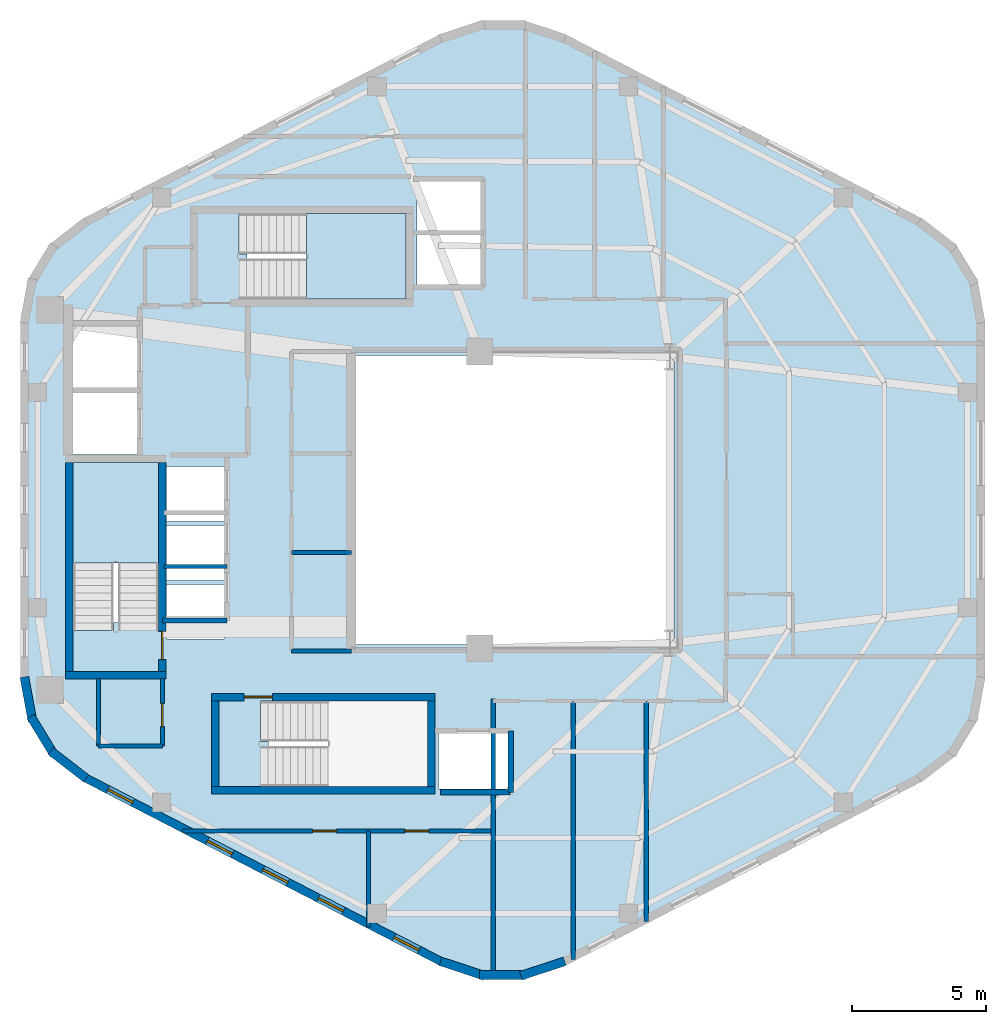
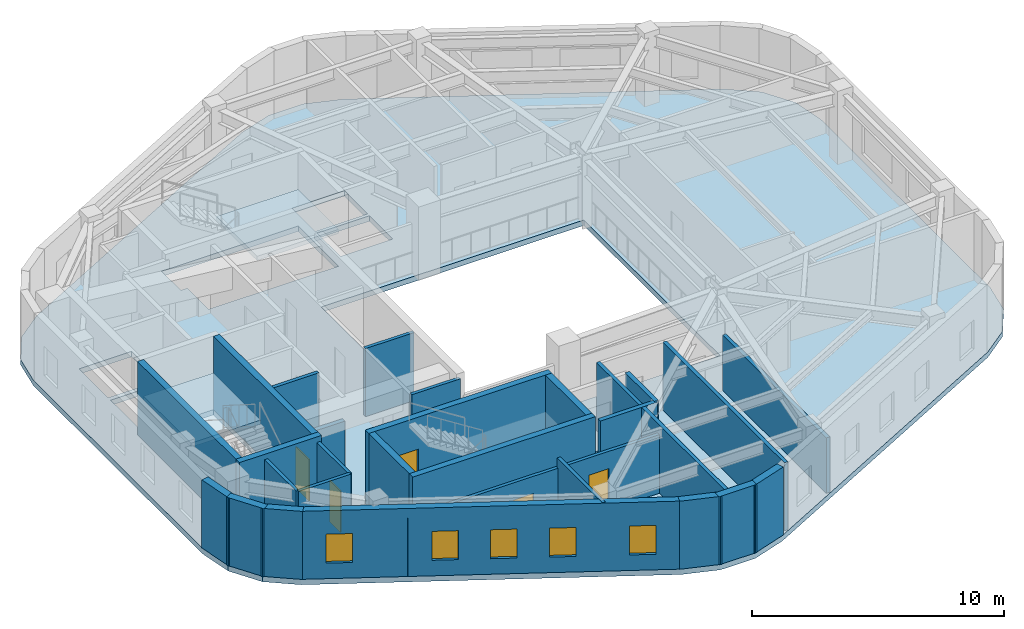
# One storey, part 2 of 6: 28 walls, 5 doors, 5 windows, 3 slabs, 10 openings, 2 elements without a shape of their own.
"""IFC4 building model written with IfcOpenShell, lengths in metres."""

from ifc_helpers import new_model, si_unit, direction, frame, frame_2d, origin, place, context, subcontext, project, spatial, polyline, rectangle, outline, extrude, material, layer, layer_set, type_object, element, fill, aggregate, save


model = new_model("IFC4")

# Units and contexts
model_context = context("Model", 3, precision=1e-05, world=origin(), true_north=direction((0.0, 1.0)))
body_context = subcontext(model_context, "Body", "Model", "MODEL_VIEW")
ifc_project = project(units=[si_unit("LENGTHUNIT", "METRE"), si_unit("AREAUNIT", "SQUARE_METRE"), si_unit("VOLUMEUNIT", "CUBIC_METRE"), si_unit("PLANEANGLEUNIT", "RADIAN"), si_unit("MASSUNIT", "GRAM", prefix="KILO"), si_unit("THERMODYNAMICTEMPERATUREUNIT", "KELVIN"), si_unit("POWERUNIT", "WATT")], contexts=[model_context])

# Site, building, storey
site_placement = place(None, origin())
site = spatial("IfcSite", under=ifc_project, at=site_placement, CompositionType="ELEMENT")
building_placement = place(site_placement, origin())
building = spatial("IfcBuilding", under=site, at=building_placement, Name="Skarre Station Tower", CompositionType="ELEMENT")
storey_placement = place(building_placement, frame((0.0, 0.0, 259.64990234375)))
storey = spatial("IfcBuildingStorey", under=building, at=storey_placement, Name="L71", CompositionType="ELEMENT", Elevation=259.64990234375)

# Stair, slab
ifc_material_1 = material(Name="Concrete C40/50", Category="concrete")
stair_type_1 = type_object("IfcStairType", Name="Reinforced Concrete Exit Stair ST-1", PredefinedType="HALF_TURN_STAIR", material=ifc_material_1)
stair_1_placement = place(storey_placement, origin())
stair_1 = element("IfcStair", 1, at=stair_1_placement, inside=storey, type_object=stair_type_1, Name="L71 Core Exit Stair ST-1", PredefinedType="HALF_TURN_STAIR")
ifc_layer_1 = layer(ifc_material_1, 0.219970703125, Name="Concrete C40/50")
ifc_layer_set_1 = layer_set([ifc_layer_1], Name="Concrete C40/50")
slab_type_1 = type_object("IfcSlabType", Name="Reinforced Concrete Stair & Ramp Landing 220", PredefinedType="LANDING", material=ifc_layer_set_1)
slab_1_placement = place(storey_placement, frame((0.0, 0.0, 1.5751953125)))
slab_1 = element("IfcSlab", 2, at=slab_1_placement, type_object=slab_type_1, Name="ST-1 landing 1", PredefinedType="LANDING", context=body_context, shape_type="SweptSolid", body=[
    extrude(outline(polyline([(20.35009765625, 21.639892578125), (20.35009765625, 25.39990234375), (17.14990234375, 25.39990234375), (17.14990234375, 21.639892578125), (20.35009765625, 21.639892578125)])), origin(), (0.0, 0.0, 1.0), 0.199951171875),
])
aggregate(stair_1, [slab_1])

stair_type_2 = type_object("IfcStairType", Name="Reinforced Concrete Exit Stair ST-3", PredefinedType="HALF_TURN_STAIR", material=ifc_material_1)
stair_2_placement = place(storey_placement, origin())
stair_2 = element("IfcStair", 3, at=stair_2_placement, inside=storey, type_object=stair_type_2, Name="L71 Core Exit Stair ST-3", PredefinedType="HALF_TURN_STAIR")
slab_2_placement = place(storey_placement, frame((0.0, 0.0, 1.5751953125)))
slab_2 = element("IfcSlab", 4, at=slab_2_placement, type_object=slab_type_1, Name="ST-3 landing 1", PredefinedType="LANDING", context=body_context, shape_type="SweptSolid", body=[
    extrude(outline(polyline([(25.8701171875, 31.5), (29.60009765625, 31.5), (29.60009765625, 34.699951171875), (25.8701171875, 34.699951171875), (25.8701171875, 31.5)])), origin(), (0.0, 0.0, 1.0), 0.199951171875),
])
aggregate(stair_2, [slab_2])

# Slab
ifc_material_2 = material(Name="Concrete C50/60", Category="concrete")
ifc_layer_2 = layer(ifc_material_2, 0.260009765625, Name="Concrete C50/60")
ifc_layer_set_2 = layer_set([ifc_layer_2], Name="Concrete C50/60")
slab_type_2 = type_object("IfcSlabType", Name="Tower Typical Composite Floor Slab 260", PredefinedType="FLOOR", material=ifc_layer_set_2)
slab_3_placement = place(storey_placement, frame((0.0, 0.0, -0.260009765625)))
element("IfcSlab", 5, at=slab_3_placement, inside=storey, type_object=slab_type_2, Name="L71 Zone 4 Structural Floor Slab", PredefinedType="FLOOR", context=body_context, shape_type="SweptSolid", body=[
    extrude(outline(polyline([(51.212890625, 30.701904296875), (50.93310546875, 32.222900390625), (50.1279296875, 33.544921875), (48.905029296875, 34.491943359375), (35.508056640625, 41.407958984375), (33.99609375, 41.906005859375), (32.404052734375, 41.906005859375), (30.89208984375, 41.407958984375), (17.4951171875, 34.491943359375), (16.27197265625, 33.544921875), (15.467041015625, 32.222900390625), (15.18701171875, 30.701904296875), (15.18701171875, 17.298095703125), (15.467041015625, 15.777099609375), (16.27197265625, 14.455078125), (17.4951171875, 13.508056640625), (30.89208984375, 6.592041015625), (32.404052734375, 6.093994140625), (33.99609375, 6.093994140625), (35.508056640625, 6.592041015625), (48.905029296875, 13.508056640625), (50.1279296875, 14.455078125), (50.93310546875, 15.777099609375), (51.212890625, 17.298095703125), (51.212890625, 30.701904296875)]), holes=[polyline([(18.669921875, 19.419921875), (18.669921875, 19.123046875), (17.14990234375, 19.123046875), (17.14990234375, 25.39990234375), (20.35009765625, 25.39990234375), (20.35009765625, 19.419921875), (18.669921875, 19.419921875)]), polyline([(24.449951171875, 14.97998046875), (24.153076171875, 14.97998046875), (24.153076171875, 16.5), (30.39990234375, 16.5), (30.39990234375, 13.300048828125), (24.449951171875, 13.300048828125), (24.449951171875, 14.97998046875)]), polyline([(23.64990234375, 33.179931640625), (23.35302734375, 33.179931640625), (23.35302734375, 34.699951171875), (29.60009765625, 34.699951171875), (29.60009765625, 31.5), (23.64990234375, 31.5), (23.64990234375, 33.179931640625)]), polyline([(17.14990234375, 28.0), (19.550048828125, 28.0), (19.550048828125, 25.699951171875), (17.14990234375, 25.699951171875), (17.14990234375, 28.0)]), polyline([(17.14990234375, 30.5), (19.550048828125, 30.5), (19.550048828125, 28.199951171875), (17.14990234375, 28.199951171875), (17.14990234375, 30.5)]), polyline([(30.800048828125, 15.300048828125), (33.39990234375, 15.300048828125), (33.39990234375, 13.199951171875), (30.800048828125, 13.199951171875), (30.800048828125, 15.300048828125)]), polyline([(20.64990234375, 20.85009765625), (22.800048828125, 20.85009765625), (22.800048828125, 18.800048828125), (20.64990234375, 18.800048828125), (20.64990234375, 20.85009765625)]), polyline([(20.64990234375, 23.050048828125), (22.800048828125, 23.050048828125), (22.800048828125, 21.0), (20.64990234375, 21.0), (20.64990234375, 23.050048828125)]), polyline([(20.64990234375, 25.25), (22.800048828125, 25.25), (22.800048828125, 23.199951171875), (20.64990234375, 23.199951171875), (20.64990234375, 25.25)]), polyline([(30.0, 33.89990234375), (32.39990234375, 33.89990234375), (32.39990234375, 32.050048828125), (30.0, 32.050048828125), (30.0, 33.89990234375)]), polyline([(30.0, 35.89990234375), (32.39990234375, 35.89990234375), (32.39990234375, 34.050048828125), (30.0, 34.050048828125), (30.0, 35.89990234375)]), polyline([(27.60009765625, 29.39990234375), (39.60009765625, 29.39990234375), (39.60009765625, 18.60009765625), (27.60009765625, 18.60009765625), (27.60009765625, 29.39990234375)])]), origin(), (0.0, 0.0, 1.0), 0.260009765625),
])

# Walls
ifc_material_3 = material(Name="Acoustic Steel-Stud Gypsum Partition", Category="steel")
ifc_layer_3 = layer(ifc_material_3, 0.14990234375, Name="Acoustic Steel-Stud Gypsum Partition")
ifc_layer_set_3 = layer_set([ifc_layer_3], Name="Acoustic Steel-Stud Gypsum Partition")
wall_type_1 = type_object("IfcWallType", Name="Fire-Rated Corridor Acoustic Partition 150", PredefinedType="PARTITIONING", material=ifc_layer_set_3)
for number, where, z_axis, x_axis, name in (
    (6, (25.320068359375, 22.0400390625, 0.0), (0.0, 0.0, 1.0), (1.0, 0.0, 0.0), "L71 Interior Partition WL-PT-L71-RC2-M1"),
    (7, (25.320068359375, 18.360107421875, 0.0), (0.0, 0.0, 1.0), (1.0, 0.0, 0.0), "L71 Interior Partition WL-PT-L71-RC2-S"),
):
    element("IfcWall", number, at=place(storey_placement, frame(where, z_axis=z_axis, x_axis=x_axis)), inside=storey, type_object=wall_type_1, Name=name, PredefinedType="PARTITIONING", context=body_context, shape_type="SweptSolid", body=[
        extrude(rectangle(XDim=2.22998046875, YDim=0.14990234375, at=frame_2d((1.114990234375, 0.0))), origin(), (0.0, 0.0, 1.0), 3.2900390625),
    ])
wall_1_placement = place(storey_placement, frame((18.10009765625, 17.340087890625, 0.0), z_axis=(0.0, 0.0, 1.0), x_axis=(0.0, -1.0, 0.0)))
element("IfcWall", 8, at=wall_1_placement, inside=storey, type_object=wall_type_1, Name="L71 Interior Partition WL-PT-L71-CSVC-W", PredefinedType="PARTITIONING", context=body_context, shape_type="SweptSolid", body=[
    extrude(rectangle(XDim=2.52001953125, YDim=0.14990234375, at=frame_2d((1.260009765625, 0.0))), origin(), (0.0, 0.0, 1.0), 3.2900390625),
])
wall_2_placement = place(storey_placement, frame((18.10009765625, 14.820068359375, 0.0), z_axis=(0.0, 0.0, 1.0), x_axis=(1.0, 0.0, 0.0)))
element("IfcWall", 9, at=wall_2_placement, inside=storey, type_object=wall_type_1, Name="L71 Interior Partition WL-PT-L71-CSVC-S", PredefinedType="PARTITIONING", context=body_context, shape_type="SweptSolid", body=[
    extrude(rectangle(XDim=2.389892578125, YDim=0.14990234375, at=frame_2d((1.19482421875, 0.0))), origin(), (0.0, 0.0, 1.0), 3.2900390625),
])

# Wall, opening, door
wall_3_placement = place(storey_placement, frame((20.489990234375, 14.820068359375, 0.0), z_axis=(0.0, 0.0, 1.0), x_axis=(0.0, 1.0, 0.0)))
wall_3 = element("IfcWall", 10, at=wall_3_placement, inside=storey, type_object=wall_type_1, Name="L71 Interior Partition WL-PT-L71-CSVC-E", PredefinedType="PARTITIONING", context=body_context, shape_type="SweptSolid", body=[
    extrude(rectangle(XDim=2.52001953125, YDim=0.14990234375, at=frame_2d((1.260009765625, 0.0))), origin(), (0.0, 0.0, 1.0), 3.2900390625),
])
opening_1_placement = place(wall_3_placement, frame((0.719970703125, 0.0, 0.0)))
opening_1 = element("IfcOpeningElement", 11, at=opening_1_placement, cuts=wall_3, Name="Opening DR-SVC86", PredefinedType="OPENING", context=body_context, shape_type="SweptSolid", body=[
    extrude(rectangle(XDim=0.860107421875, YDim=2.0, at=frame_2d((0.43017578125, 1.0))), frame((0.0, 0.0849609375, 0.0), z_axis=(0.0, -1.0, 0.0), x_axis=(1.0, 0.0, 0.0)), (0.0, 0.0, 1.0), 0.169921875),
])
ifc_material_4 = material(Name="Powder-Coated Hollow-Metal Acoustic Fire Leaf", Category="steel")
door_type_1 = type_object("IfcDoorType", Name="Compact Riser Fire Door FD60 860x2100", OperationType="SINGLE_SWING_LEFT", PredefinedType="DOOR", material=ifc_material_4)
door_1_placement = place(opening_1_placement, origin())
door_1 = element("IfcDoor", 12, at=door_1_placement, inside=storey, type_object=door_type_1, Name="L71 Core Staff Toilet Door", OperationType="SINGLE_SWING_LEFT", OverallHeight=2.0, OverallWidth=0.860107421875, PredefinedType="DOOR", context=body_context, shape_type="SweptSolid", body=[
    extrude(rectangle(XDim=0.860107421875, YDim=2.0, at=frame_2d((0.43017578125, 1.0))), frame((0.0, 0.02490234375, 0.0), z_axis=(0.0, -1.0, 0.0), x_axis=(1.0, 0.0, 0.0)), (0.0, 0.0, 1.0), 0.050048828125),
])
fill(opening_1, door_1)

# Wall
wall_4_placement = place(storey_placement, frame((28.199951171875, 8.049072265625, 0.0), z_axis=(0.0, 0.0, 1.0), x_axis=(0.0, 1.0, 0.0)))
element("IfcWall", 13, at=wall_4_placement, inside=storey, type_object=wall_type_1, Name="L71 Interior Partition WL-PT-L71-SWP-M", PredefinedType="PARTITIONING", context=body_context, shape_type="SweptSolid", body=[
    extrude(rectangle(XDim=3.5908203125, YDim=0.14990234375, at=frame_2d((1.79541015625, 0.0))), origin(), (0.0, 0.0, 1.0), 3.2900390625),
])

# Wall, openings, doors
wall_5_placement = place(storey_placement, frame((21.243896484375, 11.639892578125, 0.0), z_axis=(0.0, 0.0, 1.0), x_axis=(1.0, 0.0, 0.0)))
wall_5 = element("IfcWall", 14, at=wall_5_placement, inside=storey, type_object=wall_type_1, Name="L71 Interior Partition WL-PT-L71-SWP-N", PredefinedType="PARTITIONING", context=body_context, shape_type="SweptSolid", body=[
    extrude(rectangle(XDim=11.606201171875, YDim=0.14990234375, at=frame_2d((5.80322265625, 0.0))), origin(), (0.0, 0.0, 1.0), 2.8330078125),
])
opening_2_placement = place(wall_5_placement, frame((4.85595703125, 0.0, 0.0)))
opening_2 = element("IfcOpeningElement", 15, at=opening_2_placement, cuts=wall_5, Name="Opening DR-SVC90", PredefinedType="OPENING", context=body_context, shape_type="SweptSolid", body=[
    extrude(rectangle(XDim=0.89990234375, YDim=2.0, at=frame_2d((0.449951171875, 1.0))), frame((0.0, 0.0849609375, 0.0), z_axis=(0.0, -1.0, 0.0), x_axis=(1.0, 0.0, 0.0)), (0.0, 0.0, 1.0), 0.169921875),
])
opening_3_placement = place(wall_5_placement, frame((8.305908203125, 0.0, 0.0)))
opening_3 = element("IfcOpeningElement", 16, at=opening_3_placement, cuts=wall_5, Name="Opening DR-SVC90", PredefinedType="OPENING", context=body_context, shape_type="SweptSolid", body=[
    extrude(rectangle(XDim=0.89990234375, YDim=2.0, at=frame_2d((0.449951171875, 1.0))), frame((0.0, 0.0849609375, 0.0), z_axis=(0.0, -1.0, 0.0), x_axis=(1.0, 0.0, 0.0)), (0.0, 0.0, 1.0), 0.169921875),
])
door_type_2 = type_object("IfcDoorType", Name="Service & Riser Fire Door FD60 900x2100", OperationType="SINGLE_SWING_LEFT", PredefinedType="DOOR", material=ifc_material_4)
door_2_placement = place(opening_2_placement, origin())
door_2 = element("IfcDoor", 17, at=door_2_placement, inside=storey, type_object=door_type_2, Name="L71 Floor Public Toilets Door", OperationType="SINGLE_SWING_LEFT", OverallHeight=2.0, OverallWidth=0.89990234375, PredefinedType="DOOR", context=body_context, shape_type="SweptSolid", body=[
    extrude(rectangle(XDim=0.89990234375, YDim=2.0, at=frame_2d((0.449951171875, 1.0))), frame((0.0, 0.02490234375, 0.0), z_axis=(0.0, -1.0, 0.0), x_axis=(1.0, 0.0, 0.0)), (0.0, 0.0, 1.0), 0.050048828125),
])
fill(opening_2, door_2)
door_3_placement = place(opening_3_placement, origin())
door_3 = element("IfcDoor", 18, at=door_3_placement, inside=storey, type_object=door_type_2, Name="L71 South-West Study Door", OperationType="SINGLE_SWING_LEFT", OverallHeight=2.0, OverallWidth=0.89990234375, PredefinedType="DOOR", context=body_context, shape_type="SweptSolid", body=[
    extrude(rectangle(XDim=0.89990234375, YDim=2.0, at=frame_2d((0.449951171875, 1.0))), frame((0.0, 0.02490234375, 0.0), z_axis=(0.0, -1.0, 0.0), x_axis=(1.0, 0.0, 0.0)), (0.0, 0.0, 1.0), 0.050048828125),
])
fill(opening_3, door_3)

# Walls
ifc_material_5 = material(Name="Precast concrete C45/55", Category="concrete")
ifc_layer_4 = layer(ifc_material_5, 0.330078125, Name="Precast concrete C45/55")
ifc_layer_set_4 = layer_set([ifc_layer_4], Name="Precast concrete C45/55")
wall_type_2 = type_object("IfcWallType", Name="Nordic Rounded Corner Precast Wall 330", PredefinedType="STANDARD", material=ifc_layer_set_4)
wall_6_placement = place(storey_placement, frame((17.64697265625, 13.59912109375, 0.0), z_axis=(0.0, 0.0, 1.0), x_axis=(-0.790691856293, 0.61221433207, 0.0)))
element("IfcWall", 19, at=wall_6_placement, inside=storey, type_object=wall_type_2, Name="L71 Rounded Corner Precast Wall F3-1", PredefinedType="STANDARD", context=body_context, shape_type="SweptSolid", body=[
    extrude(rectangle(XDim=1.67578125, YDim=0.330078125, at=frame_2d((0.837890625, 0.0))), origin(), (0.0, 0.0, 1.0), 3.2900390625),
])
wall_7_placement = place(storey_placement, frame((16.447021484375, 14.485107421875, 0.0), z_axis=(0.0, 0.0, 1.0), x_axis=(-0.520325409202, 0.853968072318, 0.0)))
element("IfcWall", 20, at=wall_7_placement, inside=storey, type_object=wall_type_2, Name="L71 Rounded Corner Precast Wall F3-2", PredefinedType="STANDARD", context=body_context, shape_type="SweptSolid", body=[
    extrude(rectangle(XDim=1.677978515625, YDim=0.330078125, at=frame_2d((0.8388671875, 0.0))), origin(), (0.0, 0.0, 1.0), 3.2900390625),
])
wall_8_placement = place(storey_placement, frame((15.64111328125, 15.742919921875, 0.0), z_axis=(0.0, 0.0, 1.0), x_axis=(-0.180832605401, 0.983513888475, 0.0)))
element("IfcWall", 21, at=wall_8_placement, inside=storey, type_object=wall_type_2, Name="L71 Rounded Corner Precast Wall F3-3", PredefinedType="STANDARD", context=body_context, shape_type="SweptSolid", body=[
    extrude(rectangle(XDim=1.6767578125, YDim=0.330078125, at=frame_2d((0.83837890625, 0.0))), origin(), (0.0, 0.0, 1.0), 3.2900390625),
])
wall_9_placement = place(storey_placement, frame((35.51806640625, 6.76904296875, 0.0), z_axis=(0.0, 0.0, 1.0), x_axis=(-0.949713440491, -0.313120393699, 0.0)))
element("IfcWall", 22, at=wall_9_placement, inside=storey, type_object=wall_type_2, Name="L71 Rounded Corner Precast Wall F4-1", PredefinedType="STANDARD", context=body_context, shape_type="SweptSolid", body=[
    extrude(rectangle(XDim=1.7216796875, YDim=0.330078125, at=frame_2d((0.86083984375, 0.0))), origin(), (0.0, 0.0, 1.0), 3.2900390625),
])
wall_10_placement = place(storey_placement, frame((34.06103515625, 6.259033203125, 0.0), z_axis=(0.0, 0.0, 1.0), x_axis=(-1.0, 0.0, 0.0)))
element("IfcWall", 23, at=wall_10_placement, inside=storey, type_object=wall_type_2, Name="L71 Rounded Corner Precast Wall F4-2", PredefinedType="STANDARD", context=body_context, shape_type="SweptSolid", body=[
    extrude(rectangle(XDim=1.721923828125, YDim=0.330078125, at=frame_2d((0.86083984375, 0.0))), origin(), (0.0, 0.0, 1.0), 3.2900390625),
])
wall_11_placement = place(storey_placement, frame((32.51708984375, 6.22998046875, 0.0), z_axis=(0.0, 0.0, 1.0), x_axis=(-0.949713440491, 0.313120393699, 0.0)))
element("IfcWall", 24, at=wall_11_placement, inside=storey, type_object=wall_type_2, Name="L71 Rounded Corner Precast Wall F4-3", PredefinedType="STANDARD", context=body_context, shape_type="SweptSolid", body=[
    extrude(rectangle(XDim=1.7216796875, YDim=0.330078125, at=frame_2d((0.86083984375, 0.0))), origin(), (0.0, 0.0, 1.0), 3.2900390625),
])

# Wall, openings, windows
ifc_layer_5 = layer(ifc_material_5, 0.31005859375, Name="Precast concrete C45/55")
ifc_layer_set_5 = layer_set([ifc_layer_5], Name="Precast concrete C45/55")
wall_type_3 = type_object("IfcWallType", Name="Nordic Upper-Zone Precast Facet Wall 310", PredefinedType="STANDARD", material=ifc_layer_set_5)
wall_12_placement = place(storey_placement, frame((30.962890625, 6.72998046875, 0.0), z_axis=(0.0, 0.0, 1.0), x_axis=(-0.888581481622, 0.458718814218, 0.0)))
wall_12 = element("IfcWall", 25, at=wall_12_placement, inside=storey, type_object=wall_type_3, Name="L71 Facet 3 Nordic Precast Masonry Wall", PredefinedType="STANDARD", context=body_context, shape_type="SweptSolid", body=[
    extrude(rectangle(XDim=15.076904296875, YDim=0.31005859375, at=frame_2d((7.53857421875, 0.0))), origin(), (0.0, 0.0, 1.0), 3.2900390625),
])
opening_4_placement = place(wall_12_placement, frame((0.998046875, 0.0, 0.75)))
opening_4 = element("IfcOpeningElement", 26, at=opening_4_placement, cuts=wall_12, Name="Opening WN-SLT", PredefinedType="OPENING", context=body_context, shape_type="SweptSolid", body=[
    extrude(rectangle(XDim=1.050048828125, YDim=1.39990234375, at=frame_2d((0.52490234375, 0.699951171875))), frame((0.0, 0.1650390625, 0.0), z_axis=(0.0, -1.0, 0.0), x_axis=(1.0, 0.0, 0.0)), (0.0, 0.0, 1.0), 0.330078125),
])
opening_5_placement = place(wall_12_placement, frame((4.176025390625, 0.0, 0.75)))
opening_5 = element("IfcOpeningElement", 27, at=opening_5_placement, cuts=wall_12, Name="Opening WN-SLT", PredefinedType="OPENING", context=body_context, shape_type="SweptSolid", body=[
    extrude(rectangle(XDim=1.050048828125, YDim=1.39990234375, at=frame_2d((0.52490234375, 0.699951171875))), frame((0.0, 0.1650390625, 0.0), z_axis=(0.0, -1.0, 0.0), x_axis=(1.0, 0.0, 0.0)), (0.0, 0.0, 1.0), 0.330078125),
])
opening_6_placement = place(wall_12_placement, frame((6.509033203125, 0.0, 0.75)))
opening_6 = element("IfcOpeningElement", 28, at=opening_6_placement, cuts=wall_12, Name="Opening WN-SLT", PredefinedType="OPENING", context=body_context, shape_type="SweptSolid", body=[
    extrude(rectangle(XDim=1.050048828125, YDim=1.39990234375, at=frame_2d((0.52490234375, 0.699951171875))), frame((0.0, 0.1650390625, 0.0), z_axis=(0.0, -1.0, 0.0), x_axis=(1.0, 0.0, 0.0)), (0.0, 0.0, 1.0), 0.330078125),
])
opening_7_placement = place(wall_12_placement, frame((8.842041015625, 0.0, 0.75)))
opening_7 = element("IfcOpeningElement", 29, at=opening_7_placement, cuts=wall_12, Name="Opening WN-SLT", PredefinedType="OPENING", context=body_context, shape_type="SweptSolid", body=[
    extrude(rectangle(XDim=1.050048828125, YDim=1.39990234375, at=frame_2d((0.52490234375, 0.699951171875))), frame((0.0, 0.1650390625, 0.0), z_axis=(0.0, -1.0, 0.0), x_axis=(1.0, 0.0, 0.0)), (0.0, 0.0, 1.0), 0.330078125),
])
opening_8_placement = place(wall_12_placement, frame((13.029052734375, 0.0, 0.75)))
opening_8 = element("IfcOpeningElement", 30, at=opening_8_placement, cuts=wall_12, Name="Opening WN-SLT", PredefinedType="OPENING", context=body_context, shape_type="SweptSolid", body=[
    extrude(rectangle(XDim=1.050048828125, YDim=1.39990234375, at=frame_2d((0.52490234375, 0.699951171875))), frame((0.0, 0.1650390625, 0.0), z_axis=(0.0, -1.0, 0.0), x_axis=(1.0, 0.0, 0.0)), (0.0, 0.0, 1.0), 0.330078125),
])
ifc_material_6 = material(Name="Low-Iron Triple Glazing with Bronze Anodized Frame", Category="glass")
window_type = type_object("IfcWindowType", Name="Nordic Corner Slot Window 1050x1400", PartitioningType="SINGLE_PANEL", PredefinedType="WINDOW", material=ifc_material_6)
window_1_placement = place(opening_4_placement, origin())
window_1 = element("IfcWindow", 31, at=window_1_placement, inside=storey, type_object=window_type, Name="L71 Facade Window WL-FAC-L71-F3-1", OverallHeight=1.39990234375, OverallWidth=1.050048828125, PartitioningType="SINGLE_PANEL", PredefinedType="WINDOW", context=body_context, shape_type="SweptSolid", body=[
    extrude(rectangle(XDim=1.050048828125, YDim=1.39990234375, at=frame_2d((0.52490234375, 0.699951171875))), frame((0.0, 0.030029296875, 0.0), z_axis=(0.0, -1.0, 0.0), x_axis=(1.0, 0.0, 0.0)), (0.0, 0.0, 1.0), 0.06005859375),
])
fill(opening_4, window_1)
window_2_placement = place(opening_5_placement, origin())
window_2 = element("IfcWindow", 32, at=window_2_placement, inside=storey, type_object=window_type, Name="L71 Facade Window WL-FAC-L71-F3-2", OverallHeight=1.39990234375, OverallWidth=1.050048828125, PartitioningType="SINGLE_PANEL", PredefinedType="WINDOW", context=body_context, shape_type="SweptSolid", body=[
    extrude(rectangle(XDim=1.050048828125, YDim=1.39990234375, at=frame_2d((0.52490234375, 0.699951171875))), frame((0.0, 0.030029296875, 0.0), z_axis=(0.0, -1.0, 0.0), x_axis=(1.0, 0.0, 0.0)), (0.0, 0.0, 1.0), 0.06005859375),
])
fill(opening_5, window_2)
window_3_placement = place(opening_6_placement, origin())
window_3 = element("IfcWindow", 33, at=window_3_placement, inside=storey, type_object=window_type, Name="L71 Facade Window WL-FAC-L71-F3-3", OverallHeight=1.39990234375, OverallWidth=1.050048828125, PartitioningType="SINGLE_PANEL", PredefinedType="WINDOW", context=body_context, shape_type="SweptSolid", body=[
    extrude(rectangle(XDim=1.050048828125, YDim=1.39990234375, at=frame_2d((0.52490234375, 0.699951171875))), frame((0.0, 0.030029296875, 0.0), z_axis=(0.0, -1.0, 0.0), x_axis=(1.0, 0.0, 0.0)), (0.0, 0.0, 1.0), 0.06005859375),
])
fill(opening_6, window_3)
window_4_placement = place(opening_7_placement, origin())
window_4 = element("IfcWindow", 34, at=window_4_placement, inside=storey, type_object=window_type, Name="L71 Facade Window WL-FAC-L71-F3-4", OverallHeight=1.39990234375, OverallWidth=1.050048828125, PartitioningType="SINGLE_PANEL", PredefinedType="WINDOW", context=body_context, shape_type="SweptSolid", body=[
    extrude(rectangle(XDim=1.050048828125, YDim=1.39990234375, at=frame_2d((0.52490234375, 0.699951171875))), frame((0.0, 0.030029296875, 0.0), z_axis=(0.0, -1.0, 0.0), x_axis=(1.0, 0.0, 0.0)), (0.0, 0.0, 1.0), 0.06005859375),
])
fill(opening_7, window_4)
window_5_placement = place(opening_8_placement, origin())
window_5 = element("IfcWindow", 35, at=window_5_placement, inside=storey, type_object=window_type, Name="L71 Facade Window WL-FAC-L71-F3-5", OverallHeight=1.39990234375, OverallWidth=1.050048828125, PartitioningType="SINGLE_PANEL", PredefinedType="WINDOW", context=body_context, shape_type="SweptSolid", body=[
    extrude(rectangle(XDim=1.050048828125, YDim=1.39990234375, at=frame_2d((0.52490234375, 0.699951171875))), frame((0.0, 0.030029296875, 0.0), z_axis=(0.0, -1.0, 0.0), x_axis=(1.0, 0.0, 0.0)), (0.0, 0.0, 1.0), 0.06005859375),
])
fill(opening_8, window_5)

# Walls
ifc_layer_6 = layer(ifc_material_2, 0.280029296875, Name="Concrete C50/60")
ifc_layer_set_6 = layer_set([ifc_layer_6], Name="Concrete C50/60")
wall_type_4 = type_object("IfcWallType", Name="RC Core Shear Wall 280", PredefinedType="SHEAR", material=ifc_layer_set_6)
wall_13_placement = place(storey_placement, frame((16.8701171875, 17.4599609375, 0.0), z_axis=(0.0, 0.0, 1.0), x_axis=(1.0, 0.0, 0.0)))
element("IfcWall", 36, at=wall_13_placement, inside=storey, type_object=wall_type_4, Name="L71 Stair ST-1 South Shear Wall", PredefinedType="SHEAR", context=body_context, shape_type="SweptSolid", body=[
    extrude(rectangle(XDim=3.759765625, YDim=0.280029296875, at=frame_2d((1.8798828125, 0.0))), origin(), (0.0, 0.0, 1.0), 3.550048828125),
])
wall_14_placement = place(storey_placement, frame((17.010009765625, 25.39990234375, 0.0), z_axis=(0.0, 0.0, 1.0), x_axis=(0.0, -1.0, 0.0)))
element("IfcWall", 37, at=wall_14_placement, inside=storey, type_object=wall_type_4, Name="L71 Stair ST-1 West Shear Wall", PredefinedType="SHEAR", context=body_context, shape_type="SweptSolid", body=[
    extrude(rectangle(XDim=7.7998046875, YDim=0.280029296875, at=frame_2d((3.89990234375, 0.0))), origin(), (0.0, 0.0, 1.0), 3.550048828125),
])

# Wall, opening, door
wall_15_placement = place(storey_placement, frame((20.489990234375, 17.60009765625, 0.0), z_axis=(0.0, 0.0, 1.0), x_axis=(0.0, 1.0, 0.0)))
wall_15 = element("IfcWall", 38, at=wall_15_placement, inside=storey, type_object=wall_type_4, Name="L71 Stair ST-1 East Shear Wall", PredefinedType="SHEAR", context=body_context, shape_type="SweptSolid", body=[
    extrude(rectangle(XDim=7.7998046875, YDim=0.280029296875, at=frame_2d((3.89990234375, 0.0))), origin(), (0.0, 0.0, 1.0), 3.550048828125),
])
opening_9_placement = place(wall_15_placement, frame((0.43994140625, 0.0, 0.0)))
opening_9 = element("IfcOpeningElement", 39, at=opening_9_placement, cuts=wall_15, Name="Opening DR-FD90", PredefinedType="OPENING", context=body_context, shape_type="SweptSolid", body=[
    extrude(rectangle(XDim=1.050048828125, YDim=2.0, at=frame_2d((0.52490234375, 1.0))), frame((0.0, 0.14990234375, 0.0), z_axis=(0.0, -1.0, 0.0), x_axis=(1.0, 0.0, 0.0)), (0.0, 0.0, 1.0), 0.300048828125),
])
ifc_material_7 = material(Name="Fire-Rated Insulated Steel Frame & Timber Core Leaf", Category="steel")
door_type_3 = type_object("IfcDoorType", Name="Stair & FSAE Lobby Fire Door FD90 1050x2150", OperationType="SINGLE_SWING_RIGHT", PredefinedType="DOOR", material=ifc_material_7)
door_4_placement = place(opening_9_placement, origin())
door_4 = element("IfcDoor", 40, at=door_4_placement, inside=storey, type_object=door_type_3, Name="L71 Stair ST-1 Exit Door", OperationType="SINGLE_SWING_RIGHT", OverallHeight=2.0, OverallWidth=1.050048828125, PredefinedType="DOOR", context=body_context, shape_type="SweptSolid", body=[
    extrude(rectangle(XDim=1.050048828125, YDim=2.0, at=frame_2d((0.52490234375, 1.0))), frame((0.0, 0.02490234375, 0.0), z_axis=(0.0, -1.0, 0.0), x_axis=(1.0, 0.0, 0.0)), (0.0, 0.0, 1.0), 0.050048828125),
])
fill(opening_9, door_4)

# Wall
wall_16_placement = place(storey_placement, frame((22.320068359375, 13.159912109375, 0.0), z_axis=(0.0, 0.0, 1.0), x_axis=(1.0, 0.0, 0.0)))
element("IfcWall", 41, at=wall_16_placement, inside=storey, type_object=wall_type_4, Name="L71 Stair ST-2 South Shear Wall", PredefinedType="SHEAR", context=body_context, shape_type="SweptSolid", body=[
    extrude(rectangle(XDim=8.35986328125, YDim=0.280029296875, at=frame_2d((4.179931640625, 0.0))), origin(), (0.0, 0.0, 1.0), 3.550048828125),
])

# Wall, opening, door
wall_17_placement = place(storey_placement, frame((30.679931640625, 16.639892578125, 0.0), z_axis=(0.0, 0.0, 1.0), x_axis=(-1.0, 0.0, 0.0)))
wall_17 = element("IfcWall", 42, at=wall_17_placement, inside=storey, type_object=wall_type_4, Name="L71 Stair ST-2 North Shear Wall", PredefinedType="SHEAR", context=body_context, shape_type="SweptSolid", body=[
    extrude(rectangle(XDim=8.35986328125, YDim=0.280029296875, at=frame_2d((4.179931640625, 0.0))), origin(), (0.0, 0.0, 1.0), 3.550048828125),
])
opening_10_placement = place(wall_17_placement, frame((6.080078125, 0.0, 0.0)))
opening_10 = element("IfcOpeningElement", 43, at=opening_10_placement, cuts=wall_17, Name="Opening DR-FD90", PredefinedType="OPENING", context=body_context, shape_type="SweptSolid", body=[
    extrude(rectangle(XDim=1.050048828125, YDim=2.0, at=frame_2d((0.52490234375, 1.0))), frame((0.0, 0.14990234375, 0.0), z_axis=(0.0, -1.0, 0.0), x_axis=(1.0, 0.0, 0.0)), (0.0, 0.0, 1.0), 0.300048828125),
])
door_5_placement = place(opening_10_placement, origin())
door_5 = element("IfcDoor", 44, at=door_5_placement, inside=storey, type_object=door_type_3, Name="L71 Stair ST-2 Exit Door", OperationType="SINGLE_SWING_RIGHT", OverallHeight=2.0, OverallWidth=1.050048828125, PredefinedType="DOOR", context=body_context, shape_type="SweptSolid", body=[
    extrude(rectangle(XDim=1.050048828125, YDim=2.0, at=frame_2d((0.52490234375, 1.0))), frame((0.0, 0.02490234375, 0.0), z_axis=(0.0, -1.0, 0.0), x_axis=(1.0, 0.0, 0.0)), (0.0, 0.0, 1.0), 0.050048828125),
])
fill(opening_10, door_5)

# Walls
for number, where, z_axis, x_axis, name in (
    (45, (22.4599609375, 16.5, 0.0), (0.0, 0.0, 1.0), (0.0, -1.0, 0.0), "L71 Stair ST-2 West Shear Wall"),
    (46, (30.5400390625, 13.300048828125, 0.0), (0.0, 0.0, 1.0), (0.0, 1.0, 0.0), "L71 Stair ST-2 East Shear Wall"),
):
    element("IfcWall", number, at=place(storey_placement, frame(where, z_axis=z_axis, x_axis=x_axis)), inside=storey, type_object=wall_type_4, Name=name, PredefinedType="SHEAR", context=body_context, shape_type="SweptSolid", body=[
        extrude(rectangle(XDim=3.199951171875, YDim=0.280029296875, at=frame_2d((1.60009765625, 0.0))), origin(), (0.0, 0.0, 1.0), 3.550048828125),
    ])
ifc_material_8 = material(Name="Gypsum Concrete Shaft Assembly C30/37", Category="concrete")
ifc_layer_7 = layer(ifc_material_8, 0.199951171875, Name="Gypsum Concrete Shaft Assembly C30/37")
ifc_layer_set_7 = layer_set([ifc_layer_7], Name="Gypsum Concrete Shaft Assembly C30/37")
wall_type_5 = type_object("IfcWallType", Name="Shaft & Core Fire Partition 200", PredefinedType="PARTITIONING", material=ifc_layer_set_7)
wall_18_placement = place(storey_placement, frame((33.5, 13.080078125, 0.0), z_axis=(0.0, 0.0, 1.0), x_axis=(0.0, 1.0, 0.0)))
element("IfcWall", 47, at=wall_18_placement, inside=storey, type_object=wall_type_5, Name="L71 Interior Partition WL-PT-L71-SV1-E", PredefinedType="PARTITIONING", context=body_context, shape_type="SweptSolid", body=[
    extrude(rectangle(XDim=2.2998046875, YDim=0.199951171875, at=frame_2d((1.14990234375, 0.0))), origin(), (0.0, 0.0, 1.0), 3.2900390625),
])
wall_19_placement = place(storey_placement, frame((30.87890625, 13.080078125, 0.0), z_axis=(0.0, 0.0, 1.0), x_axis=(1.0, 0.0, 0.0)))
element("IfcWall", 48, at=wall_19_placement, inside=storey, type_object=wall_type_5, Name="L71 Interior Partition WL-PT-L71-SV1-S", PredefinedType="PARTITIONING", context=body_context, shape_type="SweptSolid", body=[
    extrude(rectangle(XDim=2.62109375, YDim=0.199951171875, at=frame_2d((1.310546875, 0.0))), origin(), (0.0, 0.0, 1.0), 3.2900390625),
])
wall_20_placement = place(storey_placement, frame((20.489990234375, 19.5, 0.0), z_axis=(0.0, 0.0, 1.0), x_axis=(1.0, 0.0, 0.0)))
element("IfcWall", 49, at=wall_20_placement, inside=storey, type_object=wall_type_5, Name="L71 Interior Partition WL-PT-L71-B3-S", PredefinedType="PARTITIONING", context=body_context, shape_type="SweptSolid", body=[
    extrude(rectangle(XDim=2.409912109375, YDim=0.199951171875, at=frame_2d((1.205078125, 0.0))), origin(), (0.0, 0.0, 1.0), 2.190185546875),
])
wall_21_placement = place(storey_placement, frame((20.550048828125, 21.52001953125, 0.0), z_axis=(0.0, 0.0, 1.0), x_axis=(1.0, 0.0, 0.0)))
element("IfcWall", 50, at=wall_21_placement, inside=storey, type_object=wall_type_5, Name="L71 Interior Partition WL-PT-L71-B3-D1", PredefinedType="PARTITIONING", context=body_context, shape_type="SweptSolid", body=[
    extrude(rectangle(XDim=2.349853515625, YDim=0.159912109375, at=frame_2d((1.1748046875, 0.0))), origin(), (0.0, 0.0, 1.0), 3.2900390625),
])
ifc_layer_8 = layer(ifc_material_3, 0.1650390625, Name="Acoustic Steel-Stud Gypsum Partition")
ifc_layer_set_8 = layer_set([ifc_layer_8], Name="Acoustic Steel-Stud Gypsum Partition")
wall_type_6 = type_object("IfcWallType", Name="Suite Demising Acoustic Partition 165", PredefinedType="PARTITIONING", material=ifc_layer_set_8)
wall_22_placement = place(storey_placement, frame((32.85009765625, 6.154052734375, 0.0), z_axis=(0.0, 0.0, 1.0), x_axis=(0.0, 1.0, 0.0)))
element("IfcWall", 51, at=wall_22_placement, inside=storey, type_object=wall_type_6, Name="L71 Interior Partition WL-PT-L71-SWP-E", PredefinedType="PARTITIONING", context=body_context, shape_type="SweptSolid", body=[
    extrude(rectangle(XDim=10.416015625, YDim=0.1650390625, at=frame_2d((5.2080078125, 0.0))), origin(), (0.0, 0.0, 1.0), 3.2900390625),
])
wall_23_placement = place(storey_placement, frame((35.833984375, 6.839111328125, 0.0), z_axis=(0.0, 0.0, 1.0), x_axis=(0.0, 1.0, 0.0)))
element("IfcWall", 52, at=wall_23_placement, inside=storey, type_object=wall_type_6, Name="L71 Interior Partition WL-PT-L71-SW-P1", PredefinedType="PARTITIONING", context=body_context, shape_type="SweptSolid", body=[
    extrude(rectangle(XDim=9.630859375, YDim=0.1650390625, at=frame_2d((4.8154296875, 0.0))), origin(), (0.0, 0.0, 1.0), 3.2900390625),
])
wall_24_placement = place(storey_placement, frame((38.56591796875, 8.2490234375, 0.0), z_axis=(0.0, 0.0, 1.0), x_axis=(0.0, 1.0, 0.0)))
element("IfcWall", 53, at=wall_24_placement, inside=storey, type_object=wall_type_6, Name="L71 Interior Partition WL-PT-L71-SW-P2", PredefinedType="PARTITIONING", context=body_context, shape_type="SweptSolid", body=[
    extrude(rectangle(XDim=8.220947265625, YDim=0.1650390625, at=frame_2d((4.1103515625, 0.0))), origin(), (0.0, 0.0, 1.0), 2.67919921875),
])

save(model, "model.ifc")
